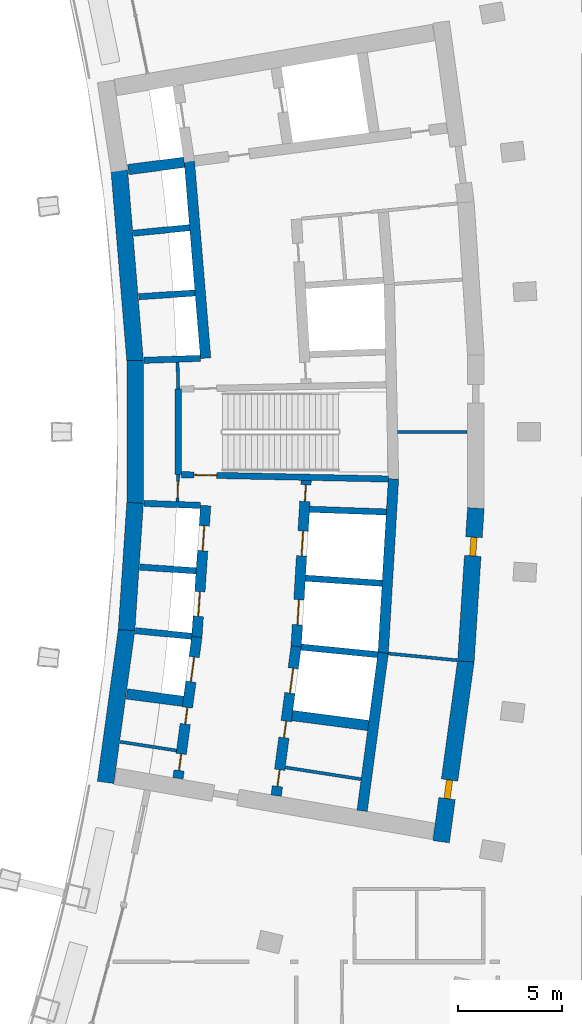
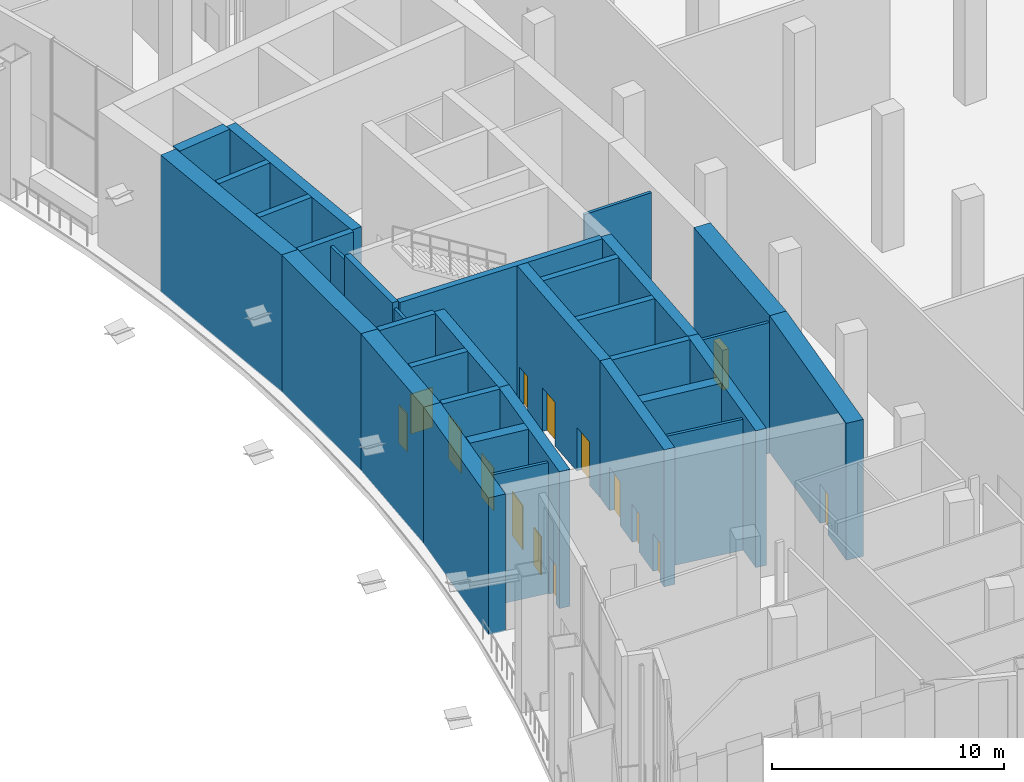
# One storey, part 17 of 27: 33 walls, 15 doors, 15 openings.
"""IFC4 building model written with IfcOpenShell, lengths in metres."""

from ifc_helpers import new_model, si_unit, direction, frame, frame_2d, origin, place, context, subcontext, project, spatial, rectangle, extrude, material, layer, layer_set, type_object, element, fill, save


model = new_model("IFC4")

# Units and contexts
model_context = context("Model", 3, precision=1e-05, world=origin(), true_north=direction((0.0, 1.0)))
body_context = subcontext(model_context, "Body", "Model", "MODEL_VIEW")
ifc_project = project(units=[si_unit("LENGTHUNIT", "METRE"), si_unit("AREAUNIT", "SQUARE_METRE"), si_unit("VOLUMEUNIT", "CUBIC_METRE"), si_unit("PLANEANGLEUNIT", "RADIAN"), si_unit("MASSUNIT", "GRAM", prefix="KILO")], contexts=[model_context])

# Site, building, storey
site_placement = place(None, origin())
site = spatial("IfcSite", under=ifc_project, at=site_placement, CompositionType="ELEMENT")
building_placement = place(site_placement, origin())
building = spatial("IfcBuilding", under=site, at=building_placement, Name="Alderwake Tower", CompositionType="ELEMENT")
storey_placement = place(building_placement, frame((0.0, 0.0, 75.199951171875)))
storey = spatial("IfcBuildingStorey", under=building, at=storey_placement, Name="L18", CompositionType="ELEMENT", Elevation=75.199951171875)

# Wall, opening, door
ifc_material_1 = material(Name="Gypsum shaft wall system, rated")
ifc_layer_1 = layer(ifc_material_1, 0.14990234375)
ifc_layer_set_1 = layer_set([ifc_layer_1], Name="Core room partition 150")
wall_type_1 = type_object("IfcWallType", Name="Core room partition 150", PredefinedType="PARTITIONING", material=ifc_layer_set_1)
wall_1_placement = place(storey_placement, frame((18.918701171875, 58.94384765625, 0.0), z_axis=(0.0, 0.0, 1.0), x_axis=(-0.027348257573, -0.999625966453, 0.0)))
wall_1 = element("IfcWall", 1, at=wall_1_placement, inside=storey, type_object=wall_type_1, Name="CW/L18/PA+24_-37", PredefinedType="PARTITIONING", context=body_context, shape_type="SweptSolid", body=[
    extrude(rectangle(XDim=1.29443359375, YDim=0.14990234375, at=frame_2d((0.647216796875, 0.0))), origin(), (0.0, 0.0, 1.0), 6.880126953125),
])
opening_1_placement = place(wall_1_placement, frame((0.322998046875, 0.0, 0.0)))
opening_1 = element("IfcOpeningElement", 2, at=opening_1_placement, cuts=wall_1, Name="Opening C004", PredefinedType="OPENING", context=body_context, shape_type="SweptSolid", body=[
    extrude(rectangle(XDim=0.800048828125, YDim=2.0, at=frame_2d((0.39990234375, 1.0))), frame((0.0, 0.0849609375, 0.0), z_axis=(0.0, -1.0, 0.0), x_axis=(1.0, 0.0, 0.0)), (0.0, 0.0, 1.0), 0.169921875),
])
ifc_material_2 = material(Name="Painted steel leaf, rated", Category="steel")
door_type_1 = type_object("IfcDoorType", Name="Riser access door 800", OperationType="SINGLE_SWING_LEFT", PredefinedType="DOOR", material=ifc_material_2)
door_1_placement = place(opening_1_placement, origin())
door_1 = element("IfcDoor", 3, at=door_1_placement, inside=storey, type_object=door_type_1, Name="Riser access door", OperationType="SINGLE_SWING_RIGHT", OverallHeight=2.0, OverallWidth=0.800048828125, PredefinedType="DOOR", context=body_context, shape_type="SweptSolid", body=[
    extrude(rectangle(XDim=0.800048828125, YDim=2.0, at=frame_2d((0.39990234375, 1.0))), frame((0.0, 0.02490234375, 0.0), z_axis=(0.0, -1.0, 0.0), x_axis=(1.0, 0.0, 0.0)), (0.0, 0.0, 1.0), 0.050048828125),
])
fill(opening_1, door_1)

# Walls
wall_2_placement = place(storey_placement, frame((18.918701171875, 63.05517578125, 0.0), z_axis=(0.0, 0.0, 1.0), x_axis=(-0.027327648352, 0.999626530078, 0.0)))
element("IfcWall", 4, at=wall_2_placement, inside=storey, type_object=wall_type_1, Name="CW/L18/PA+24_+22", PredefinedType="PARTITIONING", context=body_context, shape_type="SweptSolid", body=[
    extrude(rectangle(XDim=1.29541015625, YDim=0.14990234375, at=frame_2d((0.647705078125, 0.0))), origin(), (0.0, 0.0, 1.0), 6.880126953125),
])
wall_3_placement = place(storey_placement, frame((16.122802734375, 46.082763671875, 0.0), z_axis=(0.0, 0.0, 1.0), x_axis=(0.988174136122, -0.153335829796, 0.0)))
element("IfcWall", 5, at=wall_3_placement, inside=storey, type_object=wall_type_1, Name="CW/L18/PR-161_+0", PredefinedType="PARTITIONING", context=body_context, shape_type="SweptSolid", body=[
    extrude(rectangle(XDim=2.740234375, YDim=0.14990234375, at=frame_2d((1.3701171875, 0.0))), origin(), (0.0, 0.0, 1.0), 6.880126953125),
])
wall_4_placement = place(storey_placement, frame((24.065185546875, 44.85009765625, 0.0), z_axis=(0.0, 0.0, 1.0), x_axis=(0.988172350529, -0.153347336626, 0.0)))
element("IfcWall", 6, at=wall_4_placement, inside=storey, type_object=wall_type_1, Name="CW/L18/PR-161_+86", PredefinedType="PARTITIONING", context=body_context, shape_type="SweptSolid", body=[
    extrude(rectangle(XDim=3.69677734375, YDim=0.14990234375, at=frame_2d((1.848388671875, 0.0))), origin(), (0.0, 0.0, 1.0), 6.880126953125),
])
wall_5_placement = place(storey_placement, frame((29.029296875, 50.331298828125, 0.0), z_axis=(0.0, 0.0, 1.0), x_axis=(0.995248248589, -0.097370034814, 0.0)))
element("IfcWall", 7, at=wall_5_placement, inside=storey, type_object=wall_type_1, Name="CW/L18/PR-102_+128", PredefinedType="PARTITIONING", context=body_context, shape_type="SweptSolid", body=[
    extrude(rectangle(XDim=3.31982421875, YDim=0.14990234375, at=frame_2d((1.659912109375, 0.0))), origin(), (0.0, 0.0, 1.0), 6.880126953125),
])
wall_6_placement = place(storey_placement, frame((29.47607421875, 61.0, 0.0), z_axis=(0.0, 0.0, 1.0), x_axis=(1.0, 0.0, 0.0)))
element("IfcWall", 8, at=wall_6_placement, inside=storey, type_object=wall_type_1, Name="CW/L18/PR+0_+128", PredefinedType="PARTITIONING", context=body_context, shape_type="SweptSolid", body=[
    extrude(rectangle(XDim=3.333984375, YDim=0.14990234375, at=frame_2d((1.6669921875, 0.0))), origin(), (0.0, 0.0, 1.0), 6.880126953125),
])
ifc_material_3 = material(Name="Concrete C70/85", Category="concrete")
ifc_layer_2 = layer(ifc_material_3, 0.800048828125)
ifc_layer_set_2 = layer_set([ifc_layer_2], Name="Core wall outer 800 C70-85")
wall_type_2 = type_object("IfcWallType", Name="Core wall outer 800 C70-85", PredefinedType="SHEAR", material=ifc_layer_set_2)
wall_7_placement = place(storey_placement, frame((15.419921875, 44.12890625, 0.0), z_axis=(0.0, 0.0, 1.0), x_axis=(0.13634256868, 0.990661750531, 0.0)))
element("IfcWall", 9, at=wall_7_placement, inside=storey, type_object=wall_type_2, Name="Core wall CW.042", PredefinedType="SHEAR", context=body_context, shape_type="SweptSolid", body=[
    extrude(rectangle(XDim=7.42578125, YDim=0.800048828125, at=frame_2d((3.712890625, 0.0))), origin(), (0.0, 0.0, 1.0), 7.199951171875),
])
wall_8_placement = place(storey_placement, frame((16.429443359375, 51.45654296875, 0.0), z_axis=(0.0, 0.0, 1.0), x_axis=(0.066885651624, 0.997760647454, 0.0)))
element("IfcWall", 10, at=wall_8_placement, inside=storey, type_object=wall_type_2, Name="Core wall CW.041", PredefinedType="SHEAR", context=body_context, shape_type="SweptSolid", body=[
    extrude(rectangle(XDim=6.14306640625, YDim=0.800048828125, at=frame_2d((3.071533203125, 0.0))), origin(), (0.0, 0.0, 1.0), 7.199951171875),
])
wall_9_placement = place(storey_placement, frame((16.83935546875, 57.558349609375, 0.0), z_axis=(0.0, 0.0, 1.0), x_axis=(0.0, 1.0, 0.0)))
element("IfcWall", 11, at=wall_9_placement, inside=storey, type_object=wall_type_2, Name="Core wall CW.043", PredefinedType="SHEAR", context=body_context, shape_type="SweptSolid", body=[
    extrude(rectangle(XDim=6.886474609375, YDim=0.800048828125, at=frame_2d((3.443359375, 0.0))), origin(), (0.0, 0.0, 1.0), 7.199951171875),
])
wall_10_placement = place(storey_placement, frame((16.8408203125, 64.410888671875, 0.0), z_axis=(0.0, 0.0, 1.0), x_axis=(-0.082619502339, 0.996581164699, 0.0)))
element("IfcWall", 12, at=wall_10_placement, inside=storey, type_object=wall_type_2, Name="Core wall CW.040", PredefinedType="SHEAR", context=body_context, shape_type="SweptSolid", body=[
    extrude(rectangle(XDim=9.201904296875, YDim=0.800048828125, at=frame_2d((4.60107421875, 0.0))), origin(), (0.0, 0.0, 1.0), 7.199951171875),
])

# Wall, opening, door
wall_11_placement = place(storey_placement, frame((32.763427734375, 49.980712890625, 0.0), z_axis=(0.0, 0.0, 1.0), x_axis=(-0.135838347444, -0.990731014637, 0.0)))
wall_11 = element("IfcWall", 13, at=wall_11_placement, inside=storey, type_object=wall_type_2, Name="Core wall CW.012", PredefinedType="SHEAR", context=body_context, shape_type="SweptSolid", body=[
    extrude(rectangle(XDim=8.788818359375, YDim=0.800048828125, at=frame_2d((4.39453125, 0.0))), origin(), (0.0, 0.0, 1.0), 7.199951171875),
])
opening_2_placement = place(wall_11_placement, frame((5.79345703125, 0.0, 0.0)))
opening_2 = element("IfcOpeningElement", 14, at=opening_2_placement, cuts=wall_11, Name="Opening C060", PredefinedType="OPENING", context=body_context, shape_type="SweptSolid", body=[
    extrude(rectangle(XDim=0.89990234375, YDim=2.10009765625, at=frame_2d((0.449951171875, 1.050048828125))), frame((0.0, 0.409912109375, 0.0), z_axis=(0.0, -1.0, 0.0), x_axis=(1.0, 0.0, 0.0)), (0.0, 0.0, 1.0), 0.820068359375),
])
ifc_material_4 = material(Name="Painted steel leaf", Category="steel")
door_type_2 = type_object("IfcDoorType", Name="Core room door 900", OperationType="SINGLE_SWING_LEFT", PredefinedType="DOOR", material=ifc_material_4)
door_2_placement = place(opening_2_placement, origin())
door_2 = element("IfcDoor", 15, at=door_2_placement, inside=storey, type_object=door_type_2, Name="Room door", OperationType="SINGLE_SWING_LEFT", OverallHeight=2.10009765625, OverallWidth=0.89990234375, PredefinedType="DOOR", context=body_context, shape_type="SweptSolid", body=[
    extrude(rectangle(XDim=0.89990234375, YDim=2.10009765625, at=frame_2d((0.449951171875, 1.050048828125))), frame((0.0, 0.14990234375, 0.0), z_axis=(0.0, -1.0, 0.0), x_axis=(1.0, 0.0, 0.0)), (0.0, 0.0, 1.0), 0.300048828125),
])
fill(opening_2, door_2)

wall_12_placement = place(storey_placement, frame((33.240966796875, 57.330322265625, 0.0), z_axis=(0.0, 0.0, 1.0), x_axis=(-0.064976219143, -0.997886812693, 0.0)))
wall_12 = element("IfcWall", 16, at=wall_12_placement, inside=storey, type_object=wall_type_2, Name="Core wall CW.011", PredefinedType="SHEAR", context=body_context, shape_type="SweptSolid", body=[
    extrude(rectangle(XDim=7.39453125, YDim=0.800048828125, at=frame_2d((3.697265625, 0.0))), origin(), (0.0, 0.0, 1.0), 7.199951171875),
])
opening_3_placement = place(wall_12_placement, frame((1.40478515625, 0.0, 0.0)))
opening_3 = element("IfcOpeningElement", 17, at=opening_3_placement, cuts=wall_12, Name="Opening C025", PredefinedType="OPENING", context=body_context, shape_type="SweptSolid", body=[
    extrude(rectangle(XDim=0.89990234375, YDim=2.10009765625, at=frame_2d((0.449951171875, 1.050048828125))), frame((0.0, 0.409912109375, 0.0), z_axis=(0.0, -1.0, 0.0), x_axis=(1.0, 0.0, 0.0)), (0.0, 0.0, 1.0), 0.820068359375),
])
door_3_placement = place(opening_3_placement, origin())
door_3 = element("IfcDoor", 18, at=door_3_placement, inside=storey, type_object=door_type_2, Name="Room door", OperationType="SINGLE_SWING_RIGHT", OverallHeight=2.10009765625, OverallWidth=0.89990234375, PredefinedType="DOOR", context=body_context, shape_type="SweptSolid", body=[
    extrude(rectangle(XDim=0.89990234375, YDim=2.10009765625, at=frame_2d((0.449951171875, 1.050048828125))), frame((0.0, 0.14990234375, 0.0), z_axis=(0.0, -1.0, 0.0), x_axis=(1.0, 0.0, 0.0)), (0.0, 0.0, 1.0), 0.300048828125),
])
fill(opening_3, door_3)

# Walls
ifc_material_5 = material(Name="Concrete C70/85", Category="concrete")
ifc_layer_3 = layer(ifc_material_5, 0.300048828125)
ifc_layer_set_3 = layer_set([ifc_layer_3], Name="Core wall shaft 300 C70-85")
wall_type_3 = type_object("IfcWallType", Name="Core wall shaft 300 C70-85", PredefinedType="SHEAR", material=ifc_layer_set_3)
wall_13_placement = place(storey_placement, frame((16.8583984375, 51.4287109375, 0.0), z_axis=(0.0, 0.0, 1.0), x_axis=(0.995157330456, -0.098294901394, 0.0)))
element("IfcWall", 19, at=wall_13_placement, inside=storey, type_object=wall_type_3, Name="Core wall CW.065", PredefinedType="SHEAR", context=body_context, shape_type="SweptSolid", body=[
    extrude(rectangle(XDim=2.7197265625, YDim=0.300048828125, at=frame_2d((1.35986328125, 0.0))), origin(), (0.0, 0.0, 1.0), 7.199951171875),
])
wall_14_placement = place(storey_placement, frame((24.839599609375, 50.64013671875, 0.0), z_axis=(0.0, 0.0, 1.0), x_axis=(0.995150987401, -0.098359098589, 0.0)))
element("IfcWall", 20, at=wall_14_placement, inside=storey, type_object=wall_type_3, Name="Core wall CW.066", PredefinedType="SHEAR", context=body_context, shape_type="SweptSolid", body=[
    extrude(rectangle(XDim=3.69580078125, YDim=0.300048828125, at=frame_2d((1.847900390625, 0.0))), origin(), (0.0, 0.0, 1.0), 7.199951171875),
])
wall_15_placement = place(storey_placement, frame((17.06396484375, 54.492919921875, 0.0), z_axis=(0.0, 0.0, 1.0), x_axis=(0.997758851023, -0.066912444326, 0.0)))
element("IfcWall", 21, at=wall_15_placement, inside=storey, type_object=wall_type_3, Name="Core wall CW.079", PredefinedType="SHEAR", context=body_context, shape_type="SweptSolid", body=[
    extrude(rectangle(XDim=2.71826171875, YDim=0.300048828125, at=frame_2d((1.359130859375, 0.0))), origin(), (0.0, 0.0, 1.0), 7.199951171875),
])
wall_16_placement = place(storey_placement, frame((25.0400390625, 53.9580078125, 0.0), z_axis=(0.0, 0.0, 1.0), x_axis=(0.997759957359, -0.066895945251, 0.0)))
element("IfcWall", 22, at=wall_16_placement, inside=storey, type_object=wall_type_3, Name="Core wall CW.080", PredefinedType="SHEAR", context=body_context, shape_type="SweptSolid", body=[
    extrude(rectangle(XDim=3.697021484375, YDim=0.300048828125, at=frame_2d((1.8486328125, 0.0))), origin(), (0.0, 0.0, 1.0), 7.199951171875),
])
wall_17_placement = place(storey_placement, frame((17.269287109375, 57.556884765625, 0.0), z_axis=(0.0, 0.0, 1.0), x_axis=(0.999374351644, -0.035368139275, 0.0)))
element("IfcWall", 23, at=wall_17_placement, inside=storey, type_object=wall_type_3, Name="Core wall CW.076", PredefinedType="SHEAR", context=body_context, shape_type="SweptSolid", body=[
    extrude(rectangle(XDim=2.7197265625, YDim=0.300048828125, at=frame_2d((1.35986328125, 0.0))), origin(), (0.0, 0.0, 1.0), 7.199951171875),
])
wall_18_placement = place(storey_placement, frame((25.240478515625, 57.27490234375, 0.0), z_axis=(0.0, 0.0, 1.0), x_axis=(0.999372332678, -0.035425141877, 0.0)))
element("IfcWall", 24, at=wall_18_placement, inside=storey, type_object=wall_type_3, Name="Core wall CW.077", PredefinedType="SHEAR", context=body_context, shape_type="SweptSolid", body=[
    extrude(rectangle(XDim=3.69384765625, YDim=0.300048828125, at=frame_2d((1.846923828125, 0.0))), origin(), (0.0, 0.0, 1.0), 7.199951171875),
])
wall_19_placement = place(storey_placement, frame((17.269287109375, 64.443115234375, 0.0), z_axis=(0.0, 0.0, 1.0), x_axis=(0.999374239339, 0.03537131246, 0.0)))
element("IfcWall", 25, at=wall_19_placement, inside=storey, type_object=wall_type_3, Name="Core wall CW.059", PredefinedType="SHEAR", context=body_context, shape_type="SweptSolid", body=[
    extrude(rectangle(XDim=2.719482421875, YDim=0.300048828125, at=frame_2d((1.35986328125, 0.0))), origin(), (0.0, 0.0, 1.0), 7.199951171875),
])
for number, where, z_axis, x_axis, name in (
    (26, (17.015869140625, 67.50390625, 0.0), (0.0, 0.0, 1.0), (0.997756033475, 0.066954444689, 0.0), "Core wall CW.062"),
    (27, (16.76220703125, 70.561767578125, 0.0), (0.0, 0.0, 1.0), (0.995154832978, 0.098320183083, 0.0), "Core wall CW.050"),
):
    element("IfcWall", number, at=place(storey_placement, frame(where, z_axis=z_axis, x_axis=x_axis)), inside=storey, type_object=wall_type_3, Name=name, PredefinedType="SHEAR", context=body_context, shape_type="SweptSolid", body=[
        extrude(rectangle(XDim=2.716552734375, YDim=0.300048828125, at=frame_2d((1.3583984375, 0.0))), origin(), (0.0, 0.0, 1.0), 7.199951171875),
    ])

# Wall, openings, doors
ifc_material_6 = material(Name="Concrete C70/85", Category="concrete")
ifc_layer_4 = layer(ifc_material_6, 0.5)
ifc_layer_set_4 = layer_set([ifc_layer_4], Name="Core wall spine 500 C70-85")
wall_type_4 = type_object("IfcWallType", Name="Core wall spine 500 C70-85", PredefinedType="SHEAR", material=ifc_layer_set_4)
wall_20_placement = place(storey_placement, frame((19.81494140625, 51.145263671875, 0.0), z_axis=(0.0, 0.0, 1.0), x_axis=(-0.132349652161, -0.991203091991, 0.0)))
wall_20 = element("IfcWall", 28, at=wall_20_placement, inside=storey, type_object=wall_type_4, Name="Core wall CW.033", PredefinedType="SHEAR", context=body_context, shape_type="SweptSolid", body=[
    extrude(rectangle(XDim=6.880615234375, YDim=0.5, at=frame_2d((3.4404296875, 0.0))), origin(), (0.0, 0.0, 1.0), 7.199951171875),
])
opening_4_placement = place(wall_20_placement, frame((0.99072265625, 0.0, 0.0)))
opening_4 = element("IfcOpeningElement", 29, at=opening_4_placement, cuts=wall_20, Name="Opening LD-LP1", PredefinedType="OPENING", context=body_context, shape_type="SweptSolid", body=[
    extrude(rectangle(XDim=1.199951171875, YDim=2.300048828125, at=frame_2d((0.60009765625, 1.14990234375))), frame((0.0, 0.260009765625, 0.0), z_axis=(0.0, -1.0, 0.0), x_axis=(1.0, 0.0, 0.0)), (0.0, 0.0, 1.0), 0.52001953125),
])
opening_5_placement = place(wall_20_placement, frame((5.698486328125, 0.0, 0.0)))
opening_5 = element("IfcOpeningElement", 30, at=opening_5_placement, cuts=wall_20, Name="Opening C009", PredefinedType="OPENING", context=body_context, shape_type="SweptSolid", body=[
    extrude(rectangle(XDim=0.800048828125, YDim=2.0, at=frame_2d((0.39990234375, 1.0))), frame((0.0, 0.260009765625, 0.0), z_axis=(0.0, -1.0, 0.0), x_axis=(1.0, 0.0, 0.0)), (0.0, 0.0, 1.0), 0.52001953125),
])
opening_6_placement = place(wall_20_placement, frame((3.444580078125, 0.0, 0.0)))
opening_6 = element("IfcOpeningElement", 31, at=opening_6_placement, cuts=wall_20, Name="Opening C010", PredefinedType="OPENING", context=body_context, shape_type="SweptSolid", body=[
    extrude(rectangle(XDim=0.800048828125, YDim=2.0, at=frame_2d((0.39990234375, 1.0))), frame((0.0, 0.260009765625, 0.0), z_axis=(0.0, -1.0, 0.0), x_axis=(1.0, 0.0, 0.0)), (0.0, 0.0, 1.0), 0.52001953125),
])
ifc_material_7 = material(Name="Stainless steel sliding leaf", Category="steel")
door_type_3 = type_object("IfcDoorType", Name="Lift landing door 1200", OperationType="SLIDING_TO_LEFT", PredefinedType="DOOR", material=ifc_material_7)
door_4_placement = place(opening_4_placement, origin())
door_4 = element("IfcDoor", 32, at=door_4_placement, inside=storey, type_object=door_type_3, Name="Lift landing door LP1", OperationType="SLIDING_TO_LEFT", OverallHeight=2.300048828125, OverallWidth=1.199951171875, PredefinedType="DOOR", context=body_context, shape_type="SweptSolid", body=[
    extrude(rectangle(XDim=1.199951171875, YDim=2.300048828125, at=frame_2d((0.60009765625, 1.14990234375))), frame((0.0, 0.02490234375, 0.0), z_axis=(0.0, -1.0, 0.0), x_axis=(1.0, 0.0, 0.0)), (0.0, 0.0, 1.0), 0.050048828125),
])
fill(opening_4, door_4)
door_5_placement = place(opening_5_placement, origin())
door_5 = element("IfcDoor", 33, at=door_5_placement, inside=storey, type_object=door_type_1, Name="Riser access door", OperationType="SINGLE_SWING_LEFT", OverallHeight=2.0, OverallWidth=0.800048828125, PredefinedType="DOOR", context=body_context, shape_type="SweptSolid", body=[
    extrude(rectangle(XDim=0.800048828125, YDim=2.0, at=frame_2d((0.39990234375, 1.0))), frame((0.0, 0.02490234375, 0.0), z_axis=(0.0, -1.0, 0.0), x_axis=(1.0, 0.0, 0.0)), (0.0, 0.0, 1.0), 0.050048828125),
])
fill(opening_5, door_5)
door_6_placement = place(opening_6_placement, origin())
door_6 = element("IfcDoor", 34, at=door_6_placement, inside=storey, type_object=door_type_1, Name="Riser access door", OperationType="SINGLE_SWING_RIGHT", OverallHeight=2.0, OverallWidth=0.800048828125, PredefinedType="DOOR", context=body_context, shape_type="SweptSolid", body=[
    extrude(rectangle(XDim=0.800048828125, YDim=2.0, at=frame_2d((0.39990234375, 1.0))), frame((0.0, 0.02490234375, 0.0), z_axis=(0.0, -1.0, 0.0), x_axis=(1.0, 0.0, 0.0)), (0.0, 0.0, 1.0), 0.050048828125),
])
fill(opening_6, door_6)

wall_21_placement = place(storey_placement, frame((19.813232421875, 51.1279296875, 0.0), z_axis=(0.0, 0.0, 1.0), x_axis=(0.066907604831, 0.997759175561, 0.0)))
wall_21 = element("IfcWall", 35, at=wall_21_placement, inside=storey, type_object=wall_type_4, Name="Core wall CW.032", PredefinedType="SHEAR", context=body_context, shape_type="SweptSolid", body=[
    extrude(rectangle(XDim=6.338134765625, YDim=0.5, at=frame_2d((3.1689453125, 0.0))), origin(), (0.0, 0.0, 1.0), 7.199951171875),
])
opening_7_placement = place(wall_21_placement, frame((0.990966796875, 0.0, 0.0)))
opening_7 = element("IfcOpeningElement", 36, at=opening_7_placement, cuts=wall_21, Name="Opening LD-LP2", PredefinedType="OPENING", context=body_context, shape_type="SweptSolid", body=[
    extrude(rectangle(XDim=1.199951171875, YDim=2.300048828125, at=frame_2d((0.60009765625, 1.14990234375))), frame((0.0, 0.260009765625, 0.0), z_axis=(0.0, -1.0, 0.0), x_axis=(1.0, 0.0, 0.0)), (0.0, 0.0, 1.0), 0.52001953125),
])
opening_8_placement = place(wall_21_placement, frame((4.156005859375, 0.0, 0.0)))
opening_8 = element("IfcOpeningElement", 37, at=opening_8_placement, cuts=wall_21, Name="Opening LD-LP3", PredefinedType="OPENING", context=body_context, shape_type="SweptSolid", body=[
    extrude(rectangle(XDim=1.199951171875, YDim=2.300048828125, at=frame_2d((0.60009765625, 1.14990234375))), frame((0.0, 0.260009765625, 0.0), z_axis=(0.0, -1.0, 0.0), x_axis=(1.0, 0.0, 0.0)), (0.0, 0.0, 1.0), 0.52001953125),
])
door_7_placement = place(opening_7_placement, origin())
door_7 = element("IfcDoor", 38, at=door_7_placement, inside=storey, type_object=door_type_3, Name="Lift landing door LP2", OperationType="SLIDING_TO_LEFT", OverallHeight=2.300048828125, OverallWidth=1.199951171875, PredefinedType="DOOR", context=body_context, shape_type="SweptSolid", body=[
    extrude(rectangle(XDim=1.199951171875, YDim=2.300048828125, at=frame_2d((0.60009765625, 1.14990234375))), frame((0.0, 0.02490234375, 0.0), z_axis=(0.0, -1.0, 0.0), x_axis=(1.0, 0.0, 0.0)), (0.0, 0.0, 1.0), 0.050048828125),
])
fill(opening_7, door_7)
door_8_placement = place(opening_8_placement, origin())
door_8 = element("IfcDoor", 39, at=door_8_placement, inside=storey, type_object=door_type_3, Name="Lift landing door LP3", OperationType="SLIDING_TO_LEFT", OverallHeight=2.300048828125, OverallWidth=1.199951171875, PredefinedType="DOOR", context=body_context, shape_type="SweptSolid", body=[
    extrude(rectangle(XDim=1.199951171875, YDim=2.300048828125, at=frame_2d((0.60009765625, 1.14990234375))), frame((0.0, 0.02490234375, 0.0), z_axis=(0.0, -1.0, 0.0), x_axis=(1.0, 0.0, 0.0)), (0.0, 0.0, 1.0), 0.050048828125),
])
fill(opening_8, door_8)

# Wall
wall_22_placement = place(storey_placement, frame((20.2373046875, 64.548095703125, 0.0), z_axis=(0.0, 0.0, 1.0), x_axis=(-0.082641410547, 0.996579348202, 0.0)))
element("IfcWall", 40, at=wall_22_placement, inside=storey, type_object=wall_type_4, Name="Core wall CW.031", PredefinedType="SHEAR", context=body_context, shape_type="SweptSolid", body=[
    extrude(rectangle(XDim=9.500732421875, YDim=0.5, at=frame_2d((4.75048828125, 0.0))), origin(), (0.0, 0.0, 1.0), 7.199951171875),
])

# Wall, openings, doors
wall_23_placement = place(storey_placement, frame((23.631103515625, 43.489501953125, 0.0), z_axis=(0.0, 0.0, 1.0), x_axis=(0.132532135635, 0.991178708924, 0.0)))
wall_23 = element("IfcWall", 41, at=wall_23_placement, inside=storey, type_object=wall_type_4, Name="Core wall CW.047", PredefinedType="SHEAR", context=body_context, shape_type="SweptSolid", body=[
    extrude(rectangle(XDim=7.248779296875, YDim=0.5, at=frame_2d((3.62451171875, 0.0))), origin(), (0.0, 0.0, 1.0), 7.199951171875),
])
opening_9_placement = place(wall_23_placement, frame((4.981201171875, 0.0, 0.0)))
opening_9 = element("IfcOpeningElement", 42, at=opening_9_placement, cuts=wall_23, Name="Opening LD-LP4", PredefinedType="OPENING", context=body_context, shape_type="SweptSolid", body=[
    extrude(rectangle(XDim=1.199951171875, YDim=2.300048828125, at=frame_2d((0.60009765625, 1.14990234375))), frame((0.0, 0.260009765625, 0.0), z_axis=(0.0, -1.0, 0.0), x_axis=(1.0, 0.0, 0.0)), (0.0, 0.0, 1.0), 0.52001953125),
])
opening_10_placement = place(wall_23_placement, frame((0.4580078125, 0.0, 0.0)))
opening_10 = element("IfcOpeningElement", 43, at=opening_10_placement, cuts=wall_23, Name="Opening C016", PredefinedType="OPENING", context=body_context, shape_type="SweptSolid", body=[
    extrude(rectangle(XDim=0.800048828125, YDim=2.0, at=frame_2d((0.39990234375, 1.0))), frame((0.0, 0.260009765625, 0.0), z_axis=(0.0, -1.0, 0.0), x_axis=(1.0, 0.0, 0.0)), (0.0, 0.0, 1.0), 0.52001953125),
])
opening_11_placement = place(wall_23_placement, frame((2.819580078125, 0.0, 0.0)))
opening_11 = element("IfcOpeningElement", 44, at=opening_11_placement, cuts=wall_23, Name="Opening C017", PredefinedType="OPENING", context=body_context, shape_type="SweptSolid", body=[
    extrude(rectangle(XDim=0.800048828125, YDim=2.0, at=frame_2d((0.39990234375, 1.0))), frame((0.0, 0.260009765625, 0.0), z_axis=(0.0, -1.0, 0.0), x_axis=(1.0, 0.0, 0.0)), (0.0, 0.0, 1.0), 0.52001953125),
])
door_9_placement = place(opening_9_placement, origin())
door_9 = element("IfcDoor", 45, at=door_9_placement, inside=storey, type_object=door_type_3, Name="Lift landing door LP4", OperationType="SLIDING_TO_LEFT", OverallHeight=2.300048828125, OverallWidth=1.199951171875, PredefinedType="DOOR", context=body_context, shape_type="SweptSolid", body=[
    extrude(rectangle(XDim=1.199951171875, YDim=2.300048828125, at=frame_2d((0.60009765625, 1.14990234375))), frame((0.0, 0.02490234375, 0.0), z_axis=(0.0, -1.0, 0.0), x_axis=(1.0, 0.0, 0.0)), (0.0, 0.0, 1.0), 0.050048828125),
])
fill(opening_9, door_9)
door_10_placement = place(opening_10_placement, origin())
door_10 = element("IfcDoor", 46, at=door_10_placement, inside=storey, type_object=door_type_1, Name="Riser access door", OperationType="SINGLE_SWING_LEFT", OverallHeight=2.0, OverallWidth=0.800048828125, PredefinedType="DOOR", context=body_context, shape_type="SweptSolid", body=[
    extrude(rectangle(XDim=0.800048828125, YDim=2.0, at=frame_2d((0.39990234375, 1.0))), frame((0.0, 0.02490234375, 0.0), z_axis=(0.0, -1.0, 0.0), x_axis=(1.0, 0.0, 0.0)), (0.0, 0.0, 1.0), 0.050048828125),
])
fill(opening_10, door_10)
door_11_placement = place(opening_11_placement, origin())
door_11 = element("IfcDoor", 47, at=door_11_placement, inside=storey, type_object=door_type_1, Name="Riser access door", OperationType="SINGLE_SWING_RIGHT", OverallHeight=2.0, OverallWidth=0.800048828125, PredefinedType="DOOR", context=body_context, shape_type="SweptSolid", body=[
    extrude(rectangle(XDim=0.800048828125, YDim=2.0, at=frame_2d((0.39990234375, 1.0))), frame((0.0, 0.02490234375, 0.0), z_axis=(0.0, -1.0, 0.0), x_axis=(1.0, 0.0, 0.0)), (0.0, 0.0, 1.0), 0.050048828125),
])
fill(opening_11, door_11)

wall_24_placement = place(storey_placement, frame((24.590087890625, 50.655029296875, 0.0), z_axis=(0.0, 0.0, 1.0), x_axis=(0.060305817737, 0.998179947879, 0.0)))
wall_24 = element("IfcWall", 48, at=wall_24_placement, inside=storey, type_object=wall_type_4, Name="Core wall CW.046", PredefinedType="SHEAR", context=body_context, shape_type="SweptSolid", body=[
    extrude(rectangle(XDim=8.02392578125, YDim=0.5, at=frame_2d((4.011962890625, 0.0))), origin(), (0.0, 0.0, 1.0), 7.199951171875),
])
opening_12_placement = place(wall_24_placement, frame((1.067138671875, 0.0, 0.0)))
opening_12 = element("IfcOpeningElement", 49, at=opening_12_placement, cuts=wall_24, Name="Opening LD-LP5", PredefinedType="OPENING", context=body_context, shape_type="SweptSolid", body=[
    extrude(rectangle(XDim=1.199951171875, YDim=2.300048828125, at=frame_2d((0.60009765625, 1.14990234375))), frame((0.0, 0.260009765625, 0.0), z_axis=(0.0, -1.0, 0.0), x_axis=(1.0, 0.0, 0.0)), (0.0, 0.0, 1.0), 0.52001953125),
])
opening_13_placement = place(wall_24_placement, frame((4.383544921875, 0.0, 0.0)))
opening_13 = element("IfcOpeningElement", 50, at=opening_13_placement, cuts=wall_24, Name="Opening LD-LP6", PredefinedType="OPENING", context=body_context, shape_type="SweptSolid", body=[
    extrude(rectangle(XDim=1.199951171875, YDim=2.300048828125, at=frame_2d((0.60009765625, 1.14990234375))), frame((0.0, 0.260009765625, 0.0), z_axis=(0.0, -1.0, 0.0), x_axis=(1.0, 0.0, 0.0)), (0.0, 0.0, 1.0), 0.52001953125),
])
opening_14_placement = place(wall_24_placement, frame((7.0078125, 0.0, 0.0)))
opening_14 = element("IfcOpeningElement", 51, at=opening_14_placement, cuts=wall_24, Name="Opening C006", PredefinedType="OPENING", context=body_context, shape_type="SweptSolid", body=[
    extrude(rectangle(XDim=0.800048828125, YDim=2.0, at=frame_2d((0.39990234375, 1.0))), frame((0.0, 0.260009765625, 0.0), z_axis=(0.0, -1.0, 0.0), x_axis=(1.0, 0.0, 0.0)), (0.0, 0.0, 1.0), 0.52001953125),
])
door_12_placement = place(opening_12_placement, origin())
door_12 = element("IfcDoor", 52, at=door_12_placement, inside=storey, type_object=door_type_3, Name="Lift landing door LP5", OperationType="SLIDING_TO_LEFT", OverallHeight=2.300048828125, OverallWidth=1.199951171875, PredefinedType="DOOR", context=body_context, shape_type="SweptSolid", body=[
    extrude(rectangle(XDim=1.199951171875, YDim=2.300048828125, at=frame_2d((0.60009765625, 1.14990234375))), frame((0.0, 0.02490234375, 0.0), z_axis=(0.0, -1.0, 0.0), x_axis=(1.0, 0.0, 0.0)), (0.0, 0.0, 1.0), 0.050048828125),
])
fill(opening_12, door_12)
door_13_placement = place(opening_13_placement, origin())
door_13 = element("IfcDoor", 53, at=door_13_placement, inside=storey, type_object=door_type_3, Name="Lift landing door LP6", OperationType="SLIDING_TO_LEFT", OverallHeight=2.300048828125, OverallWidth=1.199951171875, PredefinedType="DOOR", context=body_context, shape_type="SweptSolid", body=[
    extrude(rectangle(XDim=1.199951171875, YDim=2.300048828125, at=frame_2d((0.60009765625, 1.14990234375))), frame((0.0, 0.02490234375, 0.0), z_axis=(0.0, -1.0, 0.0), x_axis=(1.0, 0.0, 0.0)), (0.0, 0.0, 1.0), 0.050048828125),
])
fill(opening_13, door_13)
door_14_placement = place(opening_14_placement, origin())
door_14 = element("IfcDoor", 54, at=door_14_placement, inside=storey, type_object=door_type_1, Name="Riser access door", OperationType="SINGLE_SWING_RIGHT", OverallHeight=2.0, OverallWidth=0.800048828125, PredefinedType="DOOR", context=body_context, shape_type="SweptSolid", body=[
    extrude(rectangle(XDim=0.800048828125, YDim=2.0, at=frame_2d((0.39990234375, 1.0))), frame((0.0, 0.02490234375, 0.0), z_axis=(0.0, -1.0, 0.0), x_axis=(1.0, 0.0, 0.0)), (0.0, 0.0, 1.0), 0.050048828125),
])
fill(opening_14, door_14)

# Walls
wall_25_placement = place(storey_placement, frame((27.76708984375, 42.75830078125, 0.0), z_axis=(0.0, 0.0, 1.0), x_axis=(0.132213731211, 0.991221231249, 0.0)))
element("IfcWall", 55, at=wall_25_placement, inside=storey, type_object=wall_type_4, Name="Core wall CW.006", PredefinedType="SHEAR", context=body_context, shape_type="SweptSolid", body=[
    extrude(rectangle(XDim=7.67431640625, YDim=0.5, at=frame_2d((3.837158203125, 0.0))), origin(), (0.0, 0.0, 1.0), 7.199951171875),
])
wall_26_placement = place(storey_placement, frame((28.77978515625, 50.345947265625, 0.0), z_axis=(0.0, 0.0, 1.0), x_axis=(0.059159556477, 0.998248539632, 0.0)))
element("IfcWall", 56, at=wall_26_placement, inside=storey, type_object=wall_type_4, Name="Core wall CW.004", PredefinedType="SHEAR", context=body_context, shape_type="SweptSolid", body=[
    extrude(rectangle(XDim=8.40625, YDim=0.5, at=frame_2d((4.203125, 0.0))), origin(), (0.0, 0.0, 1.0), 7.199951171875),
])
wall_27_placement = place(storey_placement, frame((16.43994140625, 48.38623046875, 0.0), z_axis=(0.0, 0.0, 1.0), x_axis=(0.991557472006, -0.129667959452, 0.0)))
element("IfcWall", 57, at=wall_27_placement, inside=storey, type_object=wall_type_4, Name="Core wall CW.067", PredefinedType="SHEAR", context=body_context, shape_type="SweptSolid", body=[
    extrude(rectangle(XDim=2.72998046875, YDim=0.5, at=frame_2d((1.364990234375, 0.0))), origin(), (0.0, 0.0, 1.0), 7.199951171875),
])
wall_28_placement = place(storey_placement, frame((24.39892578125, 47.345458984375, 0.0), z_axis=(0.0, 0.0, 1.0), x_axis=(0.991553185565, -0.129700733209, 0.0)))
element("IfcWall", 58, at=wall_28_placement, inside=storey, type_object=wall_type_4, Name="Core wall CW.069", PredefinedType="SHEAR", context=body_context, shape_type="SweptSolid", body=[
    extrude(rectangle(XDim=3.695068359375, YDim=0.5, at=frame_2d((1.84765625, 0.0))), origin(), (0.0, 0.0, 1.0), 7.199951171875),
])
wall_29_placement = place(storey_placement, frame((16.508544921875, 73.62255859375, 0.0), z_axis=(0.0, 0.0, 1.0), x_axis=(0.991548766325, 0.129734513522, 0.0)))
element("IfcWall", 59, at=wall_29_placement, inside=storey, type_object=wall_type_4, Name="Core wall CW.051", PredefinedType="SHEAR", context=body_context, shape_type="SweptSolid", body=[
    extrude(rectangle(XDim=2.71923828125, YDim=0.5, at=frame_2d((1.359619140625, 0.0))), origin(), (0.0, 0.0, 1.0), 7.199951171875),
])
ifc_material_8 = material(Name="Concrete C70/85", Category="concrete")
ifc_layer_5 = layer(ifc_material_8, 0.300048828125)
ifc_layer_set_5 = layer_set([ifc_layer_5], Name="Core wall stair enclosure 300 C70-85")
wall_type_5 = type_object("IfcWallType", Name="Core wall stair enclosure 300 C70-85", PredefinedType="SHEAR", material=ifc_layer_set_5)
wall_30_placement = place(storey_placement, frame((18.918701171875, 58.94091796875, 0.0), z_axis=(0.0, 0.0, 1.0), x_axis=(0.0, 1.0, 0.0)))
element("IfcWall", 60, at=wall_30_placement, inside=storey, type_object=wall_type_5, Name="Core wall CW.024", PredefinedType="SHEAR", context=body_context, shape_type="SweptSolid", body=[
    extrude(rectangle(XDim=4.119384765625, YDim=0.300048828125, at=frame_2d((2.0595703125, 0.0))), origin(), (0.0, 0.0, 1.0), 7.199951171875),
])

# Wall, opening, door
wall_31_placement = place(storey_placement, frame((29.026123046875, 58.73193359375, 0.0), z_axis=(0.0, 0.0, 1.0), x_axis=(-0.999783418156, 0.020811457903, 0.0)))
wall_31 = element("IfcWall", 61, at=wall_31_placement, inside=storey, type_object=wall_type_5, Name="Core wall CW.074", PredefinedType="SHEAR", context=body_context, shape_type="SweptSolid", body=[
    extrude(rectangle(XDim=9.959716796875, YDim=0.300048828125, at=frame_2d((4.97998046875, 0.0))), origin(), (0.0, 0.0, 1.0), 7.199951171875),
])
opening_15_placement = place(wall_31_placement, frame((8.259765625, 0.0, 0.0)))
opening_15 = element("IfcOpeningElement", 62, at=opening_15_placement, cuts=wall_31, Name="Opening C063", PredefinedType="OPENING", context=body_context, shape_type="SweptSolid", body=[
    extrude(rectangle(XDim=1.10009765625, YDim=2.10009765625, at=frame_2d((0.550048828125, 1.050048828125))), frame((0.0, 0.159912109375, 0.0), z_axis=(0.0, -1.0, 0.0), x_axis=(1.0, 0.0, 0.0)), (0.0, 0.0, 1.0), 0.320068359375),
])
ifc_material_9 = material(Name="Steel-framed fire door leaf", Category="steel")
door_type_4 = type_object("IfcDoorType", Name="Core stair door 1100 fire-rated", OperationType="SINGLE_SWING_LEFT", PredefinedType="DOOR", material=ifc_material_9)
door_15_placement = place(opening_15_placement, origin())
door_15 = element("IfcDoor", 63, at=door_15_placement, inside=storey, type_object=door_type_4, Name="Stair door", OperationType="SINGLE_SWING_LEFT", OverallHeight=2.10009765625, OverallWidth=1.10009765625, PredefinedType="DOOR", context=body_context, shape_type="SweptSolid", body=[
    extrude(rectangle(XDim=1.10009765625, YDim=2.10009765625, at=frame_2d((0.550048828125, 1.050048828125))), frame((0.0, 0.02490234375, 0.0), z_axis=(0.0, -1.0, 0.0), x_axis=(1.0, 0.0, 0.0)), (0.0, 0.0, 1.0), 0.050048828125),
])
fill(opening_15, door_15)

save(model, "model.ifc")
